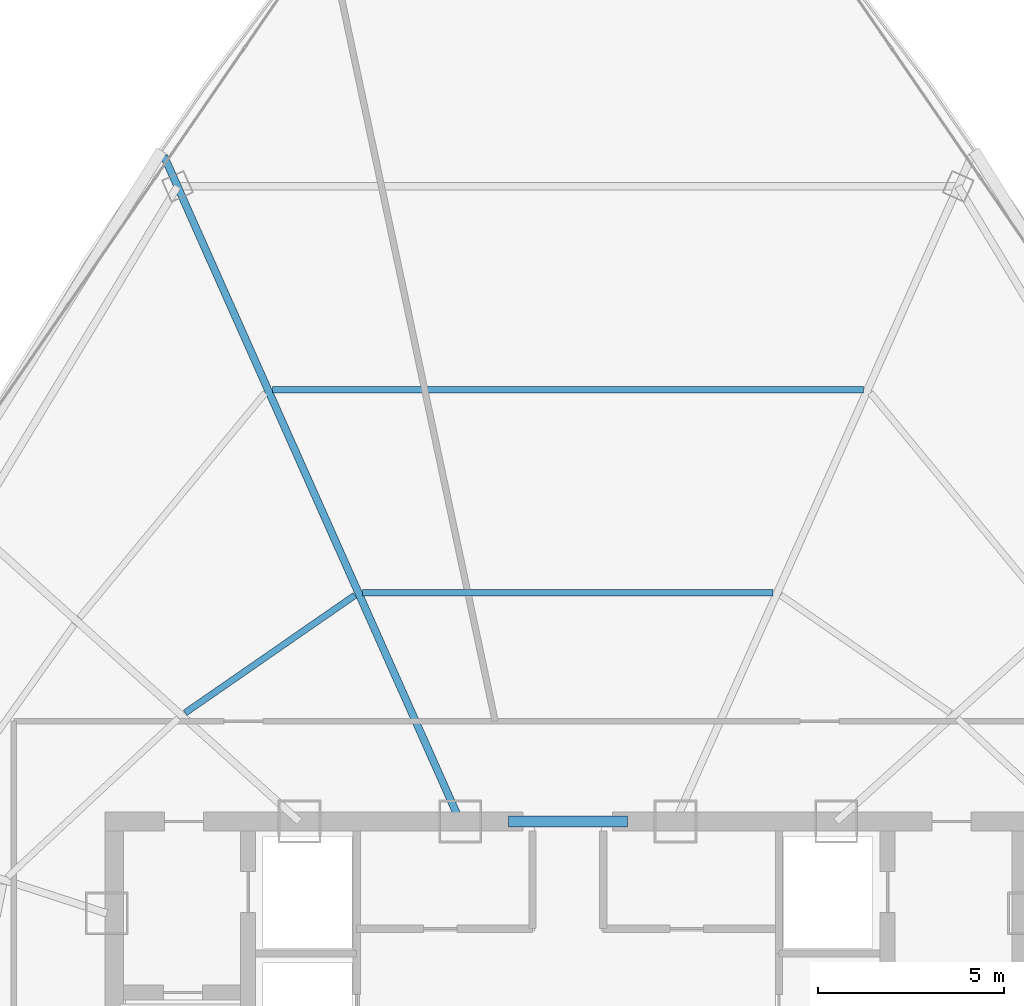
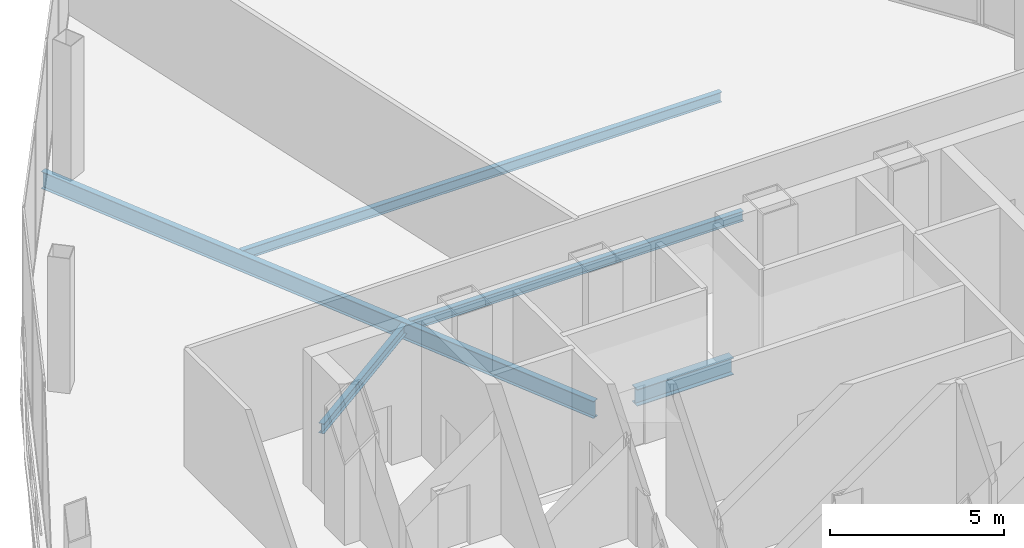
# One storey, part 13 of 33: 5 beams.
"""IFC4 building model written with IfcOpenShell, lengths in metres."""

from ifc_helpers import new_model, si_unit, direction, frame, origin, origin_2d, place, context, subcontext, project, spatial, i_section, extrude, source, transform, mapped, material, material_profile, profile_set, type_object, element, save


model = new_model("IFC4")

# Units and contexts
model_context = context("Model", 3, precision=1e-05, world=origin(), true_north=direction((0.0, 1.0)))
body_context = subcontext(model_context, "Body", "Model", "MODEL_VIEW")
ifc_project = project(units=[si_unit("LENGTHUNIT", "METRE"), si_unit("AREAUNIT", "SQUARE_METRE"), si_unit("VOLUMEUNIT", "CUBIC_METRE"), si_unit("PLANEANGLEUNIT", "RADIAN"), si_unit("MASSUNIT", "GRAM", prefix="KILO"), si_unit("THERMODYNAMICTEMPERATUREUNIT", "KELVIN"), si_unit("POWERUNIT", "WATT")], contexts=[model_context])

# Site, building, storey
site_placement = place(None, origin())
site = spatial("IfcSite", under=ifc_project, at=site_placement, CompositionType="ELEMENT")
building_placement = place(site_placement, origin())
building = spatial("IfcBuilding", under=site, at=building_placement, Name="Yunzhuo Pagoda Commons", CompositionType="ELEMENT")
storey_placement = place(building_placement, frame((0.0, 0.0, 391.760009765625)))
storey = spatial("IfcBuildingStorey", under=building, at=storey_placement, Name="L97", CompositionType="ELEMENT", Elevation=391.760009765625)

# Beams
ifc_material_1 = material(Name="Structural steel Q420B", Category="steel")
ifc_material_profile_1 = material_profile(ifc_material_1, i_section(OverallWidth=0.300048828125, OverallDepth=0.587890625, WebThickness=0.011962890625, FlangeThickness=0.02001953125, at=origin_2d()), Name="Structural steel Q420B")
ifc_profile_set_1 = profile_set([ifc_material_profile_1], Name="Structural steel Q420B")
beam_type_1 = type_object("IfcBeamType", Name="B-CPL Beam HM 588x300x12x20", PredefinedType="BEAM", material=ifc_profile_set_1)
shared_shape_1 = source(origin(), body_context, "Body", "SweptSolid", [
    extrude(i_section(OverallWidth=0.300048828125, OverallDepth=0.587890625, WebThickness=0.011962890625, FlangeThickness=0.02001953125, at=origin_2d()), origin(), (0.0, 0.0, 1.0), 3.2001953125),
])
beam_1_placement = place(storey_placement, frame((46.39990234375, 40.199951171875, -0.573974609375), z_axis=(1.0, 0.0, 0.0), x_axis=(0.0, 1.0, 0.0)))
element("IfcBeam", 1, at=beam_1_placement, inside=storey, type_object=beam_type_1, Name="L97 core coupling girder", PredefinedType="BEAM", context=body_context, shape_type="MappedRepresentation", body=[
    mapped(shared_shape_1, transform((0.0, 0.0, 0.0), scale=1.0)),
])
ifc_material_2 = material(Name="Structural steel Q355B", Category="steel")
ifc_material_profile_2 = material_profile(ifc_material_2, i_section(OverallWidth=0.175048828125, OverallDepth=0.35009765625, WebThickness=0.007080078125, FlangeThickness=0.010986328125, at=origin_2d()), Name="Structural steel Q355B")
ifc_profile_set_2 = profile_set([ifc_material_profile_2], Name="Structural steel Q355B")
beam_type_2 = type_object("IfcBeamType", Name="B-JS2 Joist HN 350x175x7x11", PredefinedType="JOIST", material=ifc_profile_set_2)
shared_shape_2 = source(origin(), body_context, "Body", "SweptSolid", [
    extrude(i_section(OverallWidth=0.175048828125, OverallDepth=0.35009765625, WebThickness=0.007080078125, FlangeThickness=0.010986328125, at=origin_2d()), origin(), (0.0, 0.0, 1.0), 5.556640625),
])
beam_2_placement = place(storey_placement, frame((42.273681640625, 46.28369140625, -0.455078125), z_axis=(-0.822084621883, -0.569365326011, 0.0), x_axis=(0.569365326011, -0.822084621883, 0.0)))
element("IfcBeam", 2, at=beam_2_placement, inside=storey, type_object=beam_type_2, Name="L97 composite ring joist 1.9", PredefinedType="JOIST", context=body_context, shape_type="MappedRepresentation", body=[
    mapped(shared_shape_2, transform((0.0, 0.0, 0.0), scale=1.0)),
])
shared_shape_3 = source(origin(), body_context, "Body", "SweptSolid", [
    extrude(i_section(OverallWidth=0.175048828125, OverallDepth=0.35009765625, WebThickness=0.007080078125, FlangeThickness=0.010986328125, at=origin_2d()), origin(), (0.0, 0.0, 1.0), 11.03369140625),
])
beam_3_placement = place(storey_placement, frame((53.516845703125, 46.34912109375, -0.455078125), z_axis=(-1.0, 0.0, 0.0), x_axis=(0.0, -1.0, 0.0)))
element("IfcBeam", 3, at=beam_3_placement, inside=storey, type_object=beam_type_2, Name="L97 composite ring joist 1.8", PredefinedType="JOIST", context=body_context, shape_type="MappedRepresentation", body=[
    mapped(shared_shape_3, transform((0.0, 0.0, 0.0), scale=1.0)),
])
shared_shape_4 = source(origin(), body_context, "Body", "SweptSolid", [
    extrude(i_section(OverallWidth=0.175048828125, OverallDepth=0.35009765625, WebThickness=0.007080078125, FlangeThickness=0.010986328125, at=origin_2d()), origin(), (0.0, 0.0, 1.0), 15.900390625),
])
beam_4_placement = place(storey_placement, frame((55.9501953125, 51.81494140625, -0.455078125), z_axis=(-1.0, 0.0, 0.0), x_axis=(0.0, -1.0, 0.0)))
element("IfcBeam", 4, at=beam_4_placement, inside=storey, type_object=beam_type_2, Name="L97 composite ring joist 2.8", PredefinedType="JOIST", context=body_context, shape_type="MappedRepresentation", body=[
    mapped(shared_shape_4, transform((0.0, 0.0, 0.0), scale=1.0)),
])
ifc_material_profile_3 = material_profile(ifc_material_2, i_section(OverallWidth=0.199951171875, OverallDepth=0.60009765625, WebThickness=0.010986328125, FlangeThickness=0.01708984375, at=origin_2d()), Name="Structural steel Q355B")
ifc_profile_set_3 = profile_set([ifc_material_profile_3], Name="Structural steel Q355B")
beam_type_3 = type_object("IfcBeamType", Name="B-RG3 Beam HN 600x200x11x17", PredefinedType="BEAM", material=ifc_profile_set_3)
shared_shape_5 = source(origin(), body_context, "Body", "SweptSolid", [
    extrude(i_section(OverallWidth=0.199951171875, OverallDepth=0.60009765625, WebThickness=0.010986328125, FlangeThickness=0.01708984375, at=origin_2d()), origin(), (0.0, 0.0, 1.0), 19.59228515625),
])
beam_5_placement = place(storey_placement, frame((37.13720703125, 58.098388671875, -0.580078125), z_axis=(0.406730347382, -0.91354826064, 0.0), x_axis=(0.91354826064, 0.406730347382, 0.0)))
element("IfcBeam", 5, at=beam_5_placement, inside=storey, type_object=beam_type_3, Name="L97 radial floor girder F3C1", PredefinedType="BEAM", context=body_context, shape_type="MappedRepresentation", body=[
    mapped(shared_shape_5, transform((0.0, 0.0, 0.0), scale=1.0)),
])

save(model, "model.ifc")
